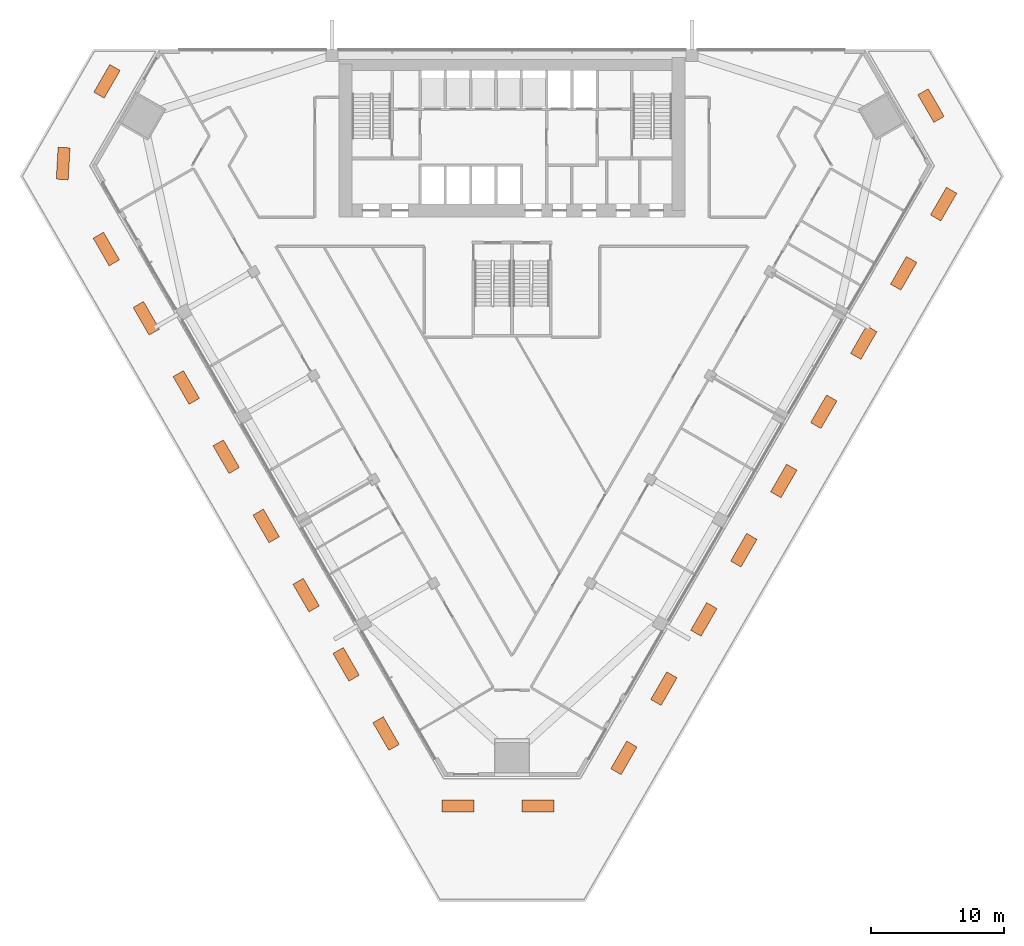
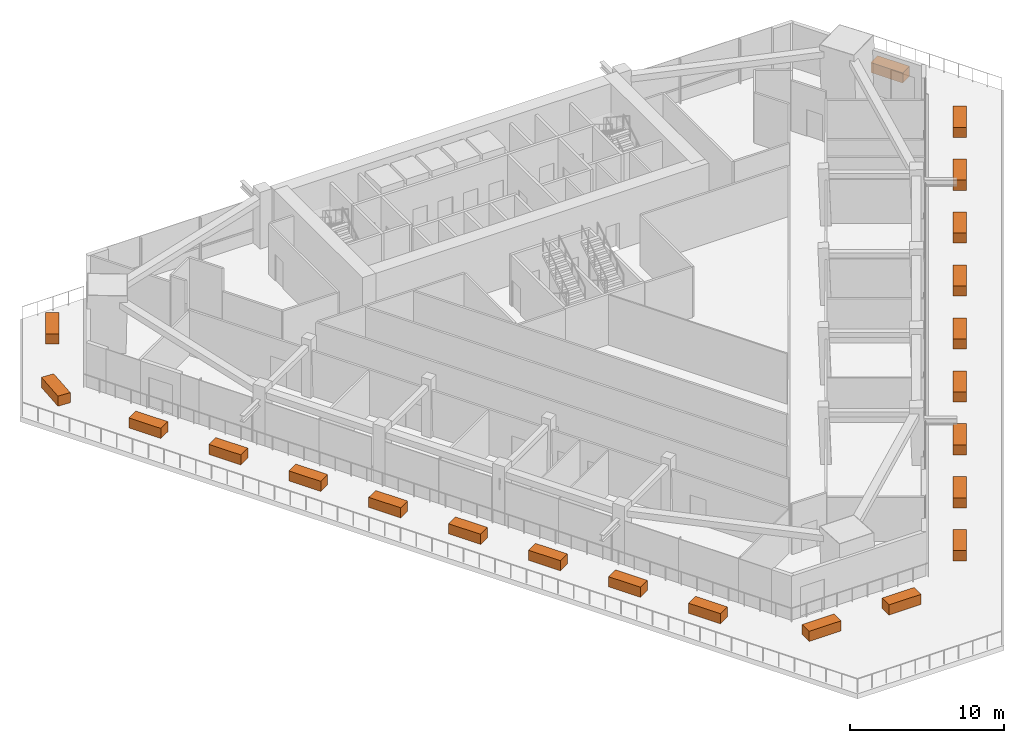
# One storey, part 15 of 15: 22 proxies.
"""IFC4 building model written with IfcOpenShell, lengths in metres."""

from ifc_helpers import new_model, si_unit, direction, frame, origin, origin_2d, place, context, subcontext, project, spatial, rectangle, extrude, material, type_object, element, save


model = new_model("IFC4")

# Units and contexts
model_context = context("Model", 3, precision=1e-05, world=origin(), true_north=direction((0.0, 1.0)))
body_context = subcontext(model_context, "Body", "Model", "MODEL_VIEW")
ifc_project = project(units=[si_unit("LENGTHUNIT", "METRE"), si_unit("AREAUNIT", "SQUARE_METRE"), si_unit("VOLUMEUNIT", "CUBIC_METRE"), si_unit("PLANEANGLEUNIT", "RADIAN"), si_unit("MASSUNIT", "GRAM", prefix="KILO")], contexts=[model_context])

# Site, building, storey
site_placement = place(None, origin())
site = spatial("IfcSite", under=ifc_project, at=site_placement, CompositionType="ELEMENT")
building_placement = place(site_placement, origin())
building = spatial("IfcBuilding", under=site, at=building_placement, Name="Altiplano Prism Tower", CompositionType="ELEMENT")
storey_placement = place(building_placement, frame((0.0, 0.0, 22.5)))
storey = spatial("IfcBuildingStorey", under=building, at=storey_placement, Name="L04", CompositionType="ELEMENT", Elevation=22.5)

# Proxies
ifc_material = material(Name="Concrete C40", Category="concrete")
building_element_proxy_type = type_object("IfcBuildingElementProxyType", Name="Planter 2400 x 900 x 800", PredefinedType="USERDEFINED", material=ifc_material)
for number, where, z_axis, x_axis, name in (
    (1, (54.5947265625, 102.595703125, 0.0), (0.0, 0.0, 1.0), (-0.500000077464, -0.86602535906, 0.0), "Planter 1"),
    (2, (51.3037109375, 96.426025390625, 0.0), (0.0, 0.0, 1.0), (-0.057487929456, -0.998346201459, 0.0), "Planter 2"),
    (3, (54.544921875, 90.00341796875, 0.0), (0.0, 0.0, 1.0), (0.500000000423, -0.86602540354, 0.0), "Planter 3"),
    (4, (57.544921875, 84.807373046875, 0.0), (0.0, 0.0, 1.0), (0.500000000423, -0.86602540354, 0.0), "Planter 4"),
    (5, (60.544921875, 79.611083984375, 0.0), (0.0, 0.0, 1.0), (0.500000000423, -0.86602540354, 0.0), "Planter 5"),
    (6, (63.544921875, 74.4150390625, 0.0), (0.0, 0.0, 1.0), (0.500000000423, -0.86602540354, 0.0), "Planter 6"),
    (7, (66.544921875, 69.21875, 0.0), (0.0, 0.0, 1.0), (0.500000000423, -0.86602540354, 0.0), "Planter 7"),
    (8, (69.544921875, 64.022705078125, 0.0), (0.0, 0.0, 1.0), (0.500000000423, -0.86602540354, 0.0), "Planter 8"),
    (9, (72.544921875, 58.82666015625, 0.0), (0.0, 0.0, 1.0), (0.500000000423, -0.86602540354, 0.0), "Planter 9"),
    (10, (75.544921875, 53.63037109375, 0.0), (0.0, 0.0, 1.0), (0.500000000423, -0.86602540354, 0.0), "Planter 10"),
    (11, (80.948486328125, 48.197265625, 0.0), (0.0, 0.0, 1.0), (1.0, 0.0, 0.0), "Planter 11"),
    (12, (86.948486328125, 48.197265625, 0.0), (0.0, 0.0, 1.0), (1.0, 0.0, 0.0), "Planter 12"),
    (13, (93.403564453125, 51.808837890625, 0.0), (0.0, 0.0, 1.0), (0.500000000423, 0.86602540354, 0.0), "Planter 13"),
    (14, (96.403564453125, 57.005126953125, 0.0), (0.0, 0.0, 1.0), (0.500000000423, 0.86602540354, 0.0), "Planter 14"),
    (15, (99.403564453125, 62.201171875, 0.0), (0.0, 0.0, 1.0), (0.500000000423, 0.86602540354, 0.0), "Planter 15"),
    (16, (102.403564453125, 67.3974609375, 0.0), (0.0, 0.0, 1.0), (0.500000000423, 0.86602540354, 0.0), "Planter 16"),
    (17, (105.403564453125, 72.593505859375, 0.0), (0.0, 0.0, 1.0), (0.500000000423, 0.86602540354, 0.0), "Planter 17"),
    (18, (108.403564453125, 77.789794921875, 0.0), (0.0, 0.0, 1.0), (0.500000000423, 0.86602540354, 0.0), "Planter 18"),
    (19, (111.403564453125, 82.98583984375, 0.0), (0.0, 0.0, 1.0), (0.500000000423, 0.86602540354, 0.0), "Planter 19"),
    (20, (114.403564453125, 88.181884765625, 0.0), (0.0, 0.0, 1.0), (0.500000000423, 0.86602540354, 0.0), "Planter 20"),
    (21, (117.403564453125, 93.378173828125, 0.0), (0.0, 0.0, 1.0), (0.500000000423, 0.86602540354, 0.0), "Planter 21"),
    (22, (116.456787109375, 100.774169921875, 0.0), (0.0, 0.0, 1.0), (-0.500000077464, 0.86602535906, 0.0), "Planter 22"),
):
    element("IfcBuildingElementProxy", number, at=place(storey_placement, frame(where, z_axis=z_axis, x_axis=x_axis)), inside=storey, type_object=building_element_proxy_type, Name=name, ObjectType="PLANTER", PredefinedType="USERDEFINED", context=body_context, shape_type="SweptSolid", body=[
        extrude(rectangle(XDim=2.39990234375, YDim=0.89990234375, at=origin_2d()), origin(), (0.0, 0.0, 1.0), 0.800048828125),
    ])

save(model, "model.ifc")
